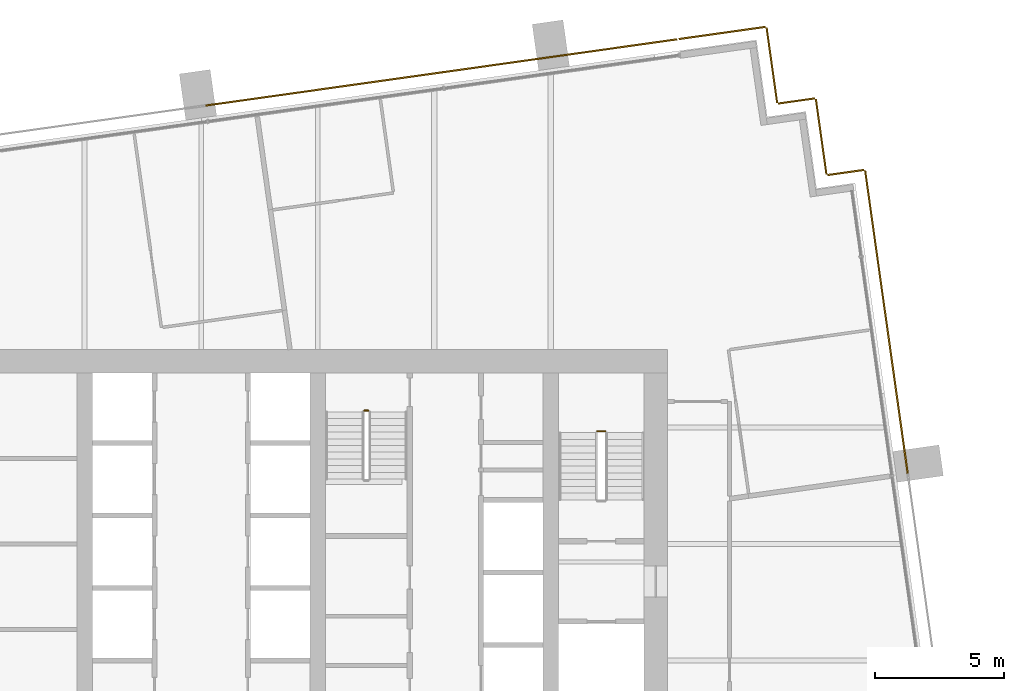
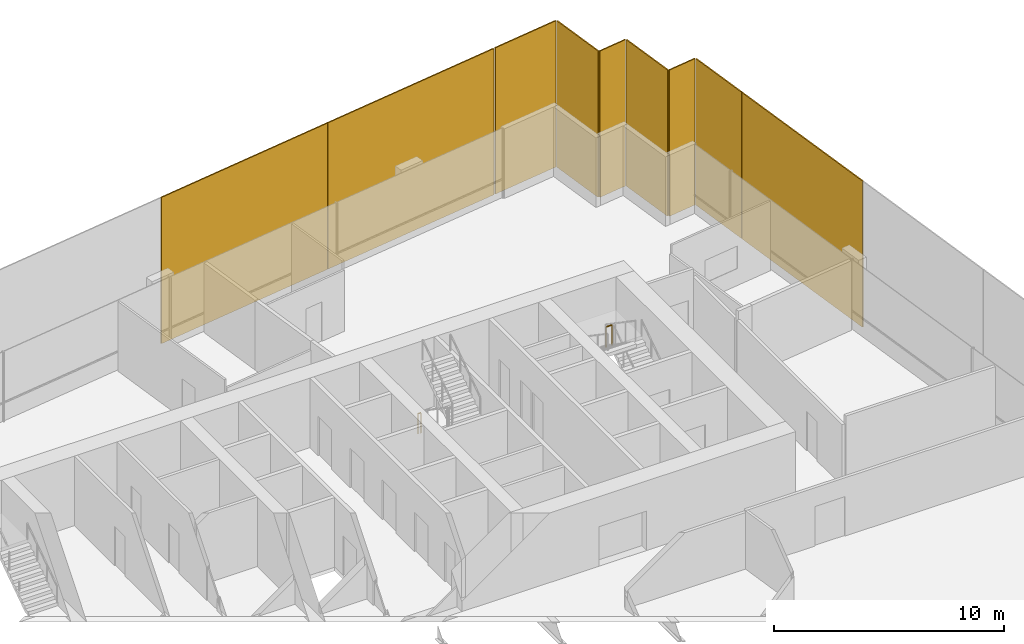
# One storey, part 17 of 17: 9 coverings, 2 railings.
"""IFC4 building model written with IfcOpenShell, lengths in metres."""

from ifc_helpers import new_model, si_unit, direction, frame, origin, origin_2d, place, context, subcontext, project, spatial, rectangle, extrude, material, layer, layer_set, type_object, element, save


model = new_model("IFC4")

# Units and contexts
model_context = context("Model", 3, precision=1e-05, world=origin(), true_north=direction((0.0, 1.0)))
body_context = subcontext(model_context, "Body", "Model", "MODEL_VIEW")
ifc_project = project(units=[si_unit("LENGTHUNIT", "METRE"), si_unit("AREAUNIT", "SQUARE_METRE"), si_unit("VOLUMEUNIT", "CUBIC_METRE"), si_unit("PLANEANGLEUNIT", "RADIAN"), si_unit("MASSUNIT", "GRAM", prefix="KILO")], contexts=[model_context])

# Site, building, storey
site_placement = place(None, origin())
site = spatial("IfcSite", under=ifc_project, at=site_placement, CompositionType="ELEMENT")
building_placement = place(site_placement, origin())
building = spatial("IfcBuilding", under=site, at=building_placement, Name="Rattan Terrace Tower", CompositionType="ELEMENT")
storey_placement = place(building_placement, frame((0.0, 0.0, 191.89990234375)))
storey = spatial("IfcBuildingStorey", under=building, at=storey_placement, Name="L44", CompositionType="ELEMENT", Elevation=191.89990234375)

# Railings
ifc_material_1 = material(Name="Powder-coated steel guard", Category="steel")
railing_type = type_object("IfcRailingType", Name="Core stair guard", PredefinedType="GUARDRAIL", material=ifc_material_1)
railing_1_placement = place(storey_placement, frame((15.60009765625, 4.35009765625, 1.9501953125)))
element("IfcRailing", 1, at=railing_1_placement, inside=storey, type_object=railing_type, Name="L44 S2 stair guard 2", PredefinedType="GUARDRAIL", context=body_context, shape_type="SweptSolid", body=[
    extrude(rectangle(XDim=0.048095703125, YDim=0.048095703125, at=origin_2d()), frame((0.0, 0.0, 1.076171875), z_axis=(-1.0, 0.0, 0.0), x_axis=(0.0, -1.0, 0.0)), (0.0, 0.0, 1.0), 0.300048828125),
    extrude(rectangle(XDim=0.0419921875, YDim=0.0419921875, at=origin_2d()), origin(), (0.0, 0.0, 1.0), 1.052001953125),
    extrude(rectangle(XDim=0.0419921875, YDim=0.0419921875, at=origin_2d()), frame((-0.300048828125, 0.0, 0.0)), (0.0, 0.0, 1.0), 1.052001953125),
])
railing_2_placement = place(storey_placement, frame((6.300048828125, 5.14990234375, 0.0)))
element("IfcRailing", 2, at=railing_2_placement, inside=storey, type_object=railing_type, Name="L44 S3 stair guard 4", PredefinedType="GUARDRAIL", context=body_context, shape_type="SweptSolid", body=[
    extrude(rectangle(XDim=0.048095703125, YDim=0.048095703125, at=origin_2d()), frame((0.0, 0.0, 1.076171875), z_axis=(1.0, 0.0, 0.0), x_axis=(0.0, 1.0, 0.0)), (0.0, 0.0, 1.0), 0.14990234375),
    extrude(rectangle(XDim=0.0419921875, YDim=0.0419921875, at=origin_2d()), origin(), (0.0, 0.0, 1.0), 1.052001953125),
    extrude(rectangle(XDim=0.0419921875, YDim=0.0419921875, at=origin_2d()), frame((0.14990234375, 0.0, 0.0)), (0.0, 0.0, 1.0), 1.052001953125),
])

# Coverings
ifc_material_2 = material(Name="Perforated terracotta", Category="masonry")
ifc_layer = layer(ifc_material_2, 0.06005859375)
ifc_layer_set = layer_set([ifc_layer], Name="Facade Terracotta Screen Panel")
covering_type = type_object("IfcCoveringType", Name="Facade Terracotta Screen Panel", PredefinedType="CLADDING", material=ifc_layer_set)
covering_1_placement = place(storey_placement, frame((26.6865234375, 6.945556640625, -0.18994140625), z_axis=(0.0, 0.0, 1.0), x_axis=(-0.139190856006, 0.99026557327, 0.0)))
element("IfcCovering", 3, at=covering_1_placement, inside=storey, type_object=covering_type, Name="OUTER SKIN panel L44-8", PredefinedType="CLADDING", context=body_context, shape_type="SweptSolid", body=[
    extrude(rectangle(XDim=8.530029296875, YDim=0.06005859375, at=origin_2d()), origin(), (0.0, 0.0, 1.0), 7.780029296875),
])
covering_2_placement = place(storey_placement, frame((25.86376953125, 12.79833984375, -0.18994140625), z_axis=(0.0, 0.0, 1.0), x_axis=(-0.139190856006, 0.99026557327, 0.0)))
element("IfcCovering", 4, at=covering_2_placement, inside=storey, type_object=covering_type, Name="OUTER SKIN panel L44-9", PredefinedType="CLADDING", context=body_context, shape_type="SweptSolid", body=[
    extrude(rectangle(XDim=3.25048828125, YDim=0.06005859375, at=origin_2d()), origin(), (0.0, 0.0, 1.0), 7.780029296875),
])
covering_3_placement = place(storey_placement, frame((24.889404296875, 14.3427734375, -0.18994140625), z_axis=(0.0, 0.0, 1.0), x_axis=(-0.990240767803, -0.139367219175, 0.0)))
element("IfcCovering", 5, at=covering_3_placement, inside=storey, type_object=covering_type, Name="OUTER SKIN panel L44-10", PredefinedType="CLADDING", context=body_context, shape_type="SweptSolid", body=[
    extrude(rectangle(XDim=1.419677734375, YDim=0.06005859375, at=origin_2d()), origin(), (0.0, 0.0, 1.0), 7.780029296875),
])
covering_4_placement = place(storey_placement, frame((23.93798828125, 15.723876953125, -0.18994140625), z_axis=(0.0, 0.0, 1.0), x_axis=(-0.139321220646, 0.990247240581, 0.0)))
element("IfcCovering", 6, at=covering_4_placement, inside=storey, type_object=covering_type, Name="OUTER SKIN panel L44-11", PredefinedType="CLADDING", context=body_context, shape_type="SweptSolid", body=[
    extrude(rectangle(XDim=2.920166015625, YDim=0.06005859375, at=origin_2d()), origin(), (0.0, 0.0, 1.0), 7.780029296875),
])
covering_5_placement = place(storey_placement, frame((22.986328125, 17.104736328125, -0.18994140625), z_axis=(0.0, 0.0, 1.0), x_axis=(-0.990240767803, -0.139367219175, 0.0)))
element("IfcCovering", 7, at=covering_5_placement, inside=storey, type_object=covering_type, Name="OUTER SKIN panel L44-12", PredefinedType="CLADDING", context=body_context, shape_type="SweptSolid", body=[
    extrude(rectangle(XDim=1.419677734375, YDim=0.06005859375, at=origin_2d()), origin(), (0.0, 0.0, 1.0), 7.780029296875),
])
covering_6_placement = place(storey_placement, frame((22.034912109375, 18.48583984375, -0.18994140625), z_axis=(0.0, 0.0, 1.0), x_axis=(-0.139321220646, 0.990247240581, 0.0)))
element("IfcCovering", 8, at=covering_6_placement, inside=storey, type_object=covering_type, Name="OUTER SKIN panel L44-13", PredefinedType="CLADDING", context=body_context, shape_type="SweptSolid", body=[
    extrude(rectangle(XDim=2.920166015625, YDim=0.06005859375, at=origin_2d()), origin(), (0.0, 0.0, 1.0), 7.780029296875),
])
covering_7_placement = place(storey_placement, frame((20.1181640625, 19.73095703125, -0.18994140625), z_axis=(0.0, 0.0, 1.0), x_axis=(-0.990240767803, -0.139367219175, 0.0)))
element("IfcCovering", 9, at=covering_7_placement, inside=storey, type_object=covering_type, Name="OUTER SKIN panel L44-14", PredefinedType="CLADDING", context=body_context, shape_type="SweptSolid", body=[
    extrude(rectangle(XDim=3.369140625, YDim=0.06005859375, at=origin_2d()), origin(), (0.0, 0.0, 1.0), 7.780029296875),
])
covering_8_placement = place(storey_placement, frame((13.833740234375, 18.847412109375, -0.18994140625), z_axis=(0.0, 0.0, 1.0), x_axis=(-0.990269702686, -0.139161474347, 0.0)))
element("IfcCovering", 10, at=covering_8_placement, inside=storey, type_object=covering_type, Name="OUTER SKIN panel L44-15", PredefinedType="CLADDING", context=body_context, shape_type="SweptSolid", body=[
    extrude(rectangle(XDim=9.162841796875, YDim=0.06005859375, at=origin_2d()), origin(), (0.0, 0.0, 1.0), 7.780029296875),
])
covering_9_placement = place(storey_placement, frame((4.725341796875, 17.5673828125, -0.18994140625), z_axis=(0.0, 0.0, 1.0), x_axis=(-0.990269702686, -0.139161474347, 0.0)))
element("IfcCovering", 11, at=covering_9_placement, inside=storey, type_object=covering_type, Name="OUTER SKIN panel L44-16", PredefinedType="CLADDING", context=body_context, shape_type="SweptSolid", body=[
    extrude(rectangle(XDim=9.193115234375, YDim=0.06005859375, at=origin_2d()), origin(), (0.0, 0.0, 1.0), 7.780029296875),
])

save(model, "model.ifc")
